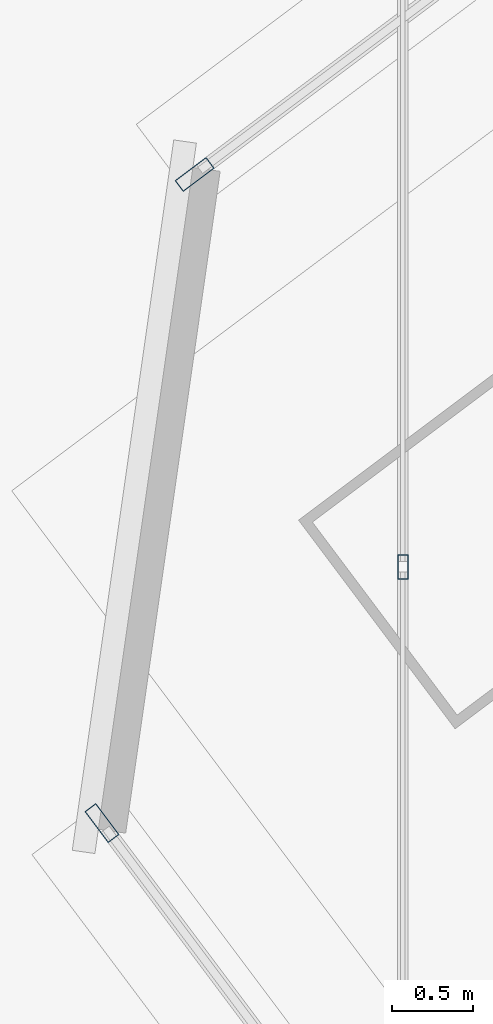
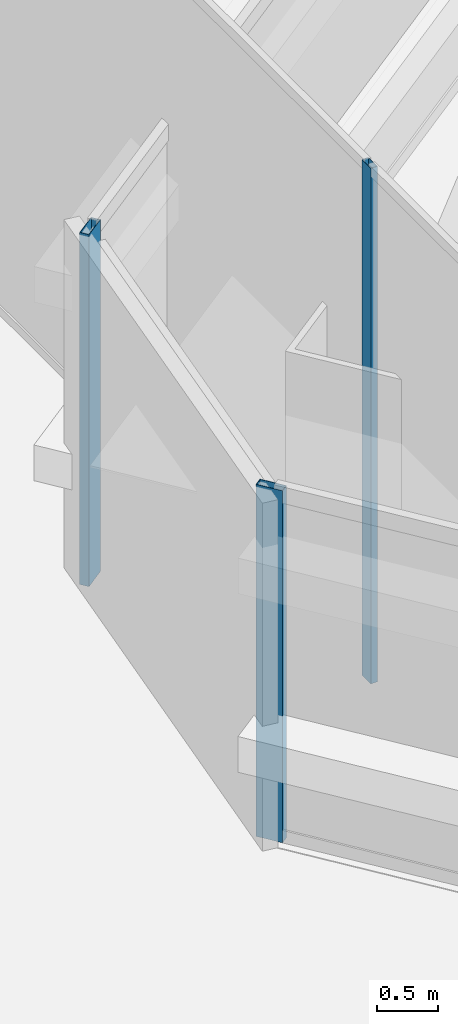
# One storey, part 45 of 83: 3 members, 3 elements without a shape of their own.
"""IFC4 building model written with IfcOpenShell, lengths in metres."""

from ifc_helpers import new_model, si_unit, direction, frame, origin, origin_2d, place, context, subcontext, project, spatial, hollow_rectangle, extrude, material, material_profile, profile_set, type_object, element, aggregate, save


model = new_model("IFC4")

# Units and contexts
model_context = context("Model", 3, precision=1e-05, world=origin(), true_north=direction((0.0, 1.0)))
body_context = subcontext(model_context, "Body", "Model", "MODEL_VIEW")
ifc_project = project(units=[si_unit("LENGTHUNIT", "METRE"), si_unit("AREAUNIT", "SQUARE_METRE"), si_unit("VOLUMEUNIT", "CUBIC_METRE"), si_unit("PLANEANGLEUNIT", "RADIAN"), si_unit("MASSUNIT", "GRAM", prefix="KILO")], contexts=[model_context])

# Site, building, storey
site_placement = place(None, origin())
site = spatial("IfcSite", under=ifc_project, at=site_placement, CompositionType="ELEMENT")
building_placement = place(site_placement, origin())
building = spatial("IfcBuilding", under=site, at=building_placement, Name="Tashvorn Skyway Center", CompositionType="ELEMENT")
storey_placement = place(building_placement, frame((0.0, 0.0, 24.60009765625)))
storey = spatial("IfcBuildingStorey", under=building, at=storey_placement, Name="L05", CompositionType="ELEMENT", Elevation=24.60009765625)

# Curtain wall, member
ifc_material = material(Name="Thermally broken bronze-anodized aluminium 6063-T6", Category="aluminium")
curtain_wall_type_1 = type_object("IfcCurtainWallType", Name="CW-CW-SKY", PredefinedType="NOTDEFINED", material=ifc_material)
curtain_wall_1_placement = place(storey_placement, origin())
curtain_wall_1 = element("IfcCurtainWall", 1, at=curtain_wall_1_placement, inside=storey, type_object=curtain_wall_type_1, Name="Station Concourse Monitor East Clerestory Curtain Wall", PredefinedType="NOTDEFINED")
ifc_material_profile_1 = material_profile(ifc_material, hollow_rectangle(XDim=0.06494140625, YDim=0.14990234375, WallThickness=0.00390625, at=origin_2d()), Name="ALU-MULL-65x150")
ifc_profile_set_1 = profile_set([ifc_material_profile_1], Name="Thermally broken bronze-anodized aluminium 6063-T6")
member_type_1 = type_object("IfcMemberType", Name="CWM-CW-SKY", PredefinedType="MULLION", material=ifc_profile_set_1)
member_1_placement = place(storey_placement, frame((87.199951171875, 35.63330078125, 0.0), z_axis=(0.0, 0.0, 1.0), x_axis=(1.0, 0.0, 0.0)))
member_1 = element("IfcMember", 2, at=member_1_placement, type_object=member_type_1, Name="CW-SKY mullion 2", PredefinedType="MULLION", context=body_context, shape_type="SweptSolid", body=[
    extrude(hollow_rectangle(XDim=0.06494140625, YDim=0.14990234375, WallThickness=0.00390625, at=origin_2d()), origin(), (0.0, 0.0, 1.0), 5.199951171875),
])
aggregate(curtain_wall_1, [member_1])

curtain_wall_type_2 = type_object("IfcCurtainWallType", Name="CW-CW-Z1", PredefinedType="NOTDEFINED", material=ifc_material)
curtain_wall_2_placement = place(storey_placement, origin())
curtain_wall_2 = element("IfcCurtainWall", 3, at=curtain_wall_2_placement, inside=storey, type_object=curtain_wall_type_2, Name="Tower 2 L05 West Unitised Curtain Wall Glazing Group 4", PredefinedType="NOTDEFINED")
ifc_material_profile_2 = material_profile(ifc_material, hollow_rectangle(XDim=0.0849609375, YDim=0.239990234375, WallThickness=0.0048828125, at=origin_2d()), Name="ALU-MULL-85x240")
ifc_profile_set_2 = profile_set([ifc_material_profile_2], Name="Thermally broken bronze-anodized aluminium 6063-T6")
member_type_2 = type_object("IfcMemberType", Name="CWM-CW-Z1", PredefinedType="MULLION", material=ifc_profile_set_2)
member_2_placement = place(storey_placement, frame((85.353515625, 34.06201171875, 0.0), z_axis=(0.0, 0.0, 1.0), x_axis=(-0.799999999998, -0.600000000002, 0.0)))
member_2 = element("IfcMember", 4, at=member_2_placement, type_object=member_type_2, Name="CW-Z1 mullion 2", PredefinedType="MULLION", context=body_context, shape_type="SweptSolid", body=[
    extrude(hollow_rectangle(XDim=0.0849609375, YDim=0.239990234375, WallThickness=0.0048828125, at=origin_2d()), origin(), (0.0, 0.0, 1.0), 3.5498046875),
])
aggregate(curtain_wall_2, [member_2])

curtain_wall_3_placement = place(storey_placement, origin())
curtain_wall_3 = element("IfcCurtainWall", 5, at=curtain_wall_3_placement, inside=storey, type_object=curtain_wall_type_2, Name="Tower 2 L05 North Unitised Curtain Wall Glazing Group 1", PredefinedType="NOTDEFINED")
member_3_placement = place(storey_placement, frame((85.922119140625, 38.04150390625, 0.0), z_axis=(0.0, 0.0, 1.0), x_axis=(-0.600000000002, 0.799999999998, 0.0)))
member_3 = element("IfcMember", 6, at=member_3_placement, type_object=member_type_2, Name="CW-Z1 mullion 1", PredefinedType="MULLION", context=body_context, shape_type="SweptSolid", body=[
    extrude(hollow_rectangle(XDim=0.0849609375, YDim=0.239990234375, WallThickness=0.0048828125, at=origin_2d()), origin(), (0.0, 0.0, 1.0), 3.5498046875),
])
aggregate(curtain_wall_3, [member_3])

save(model, "model.ifc")
